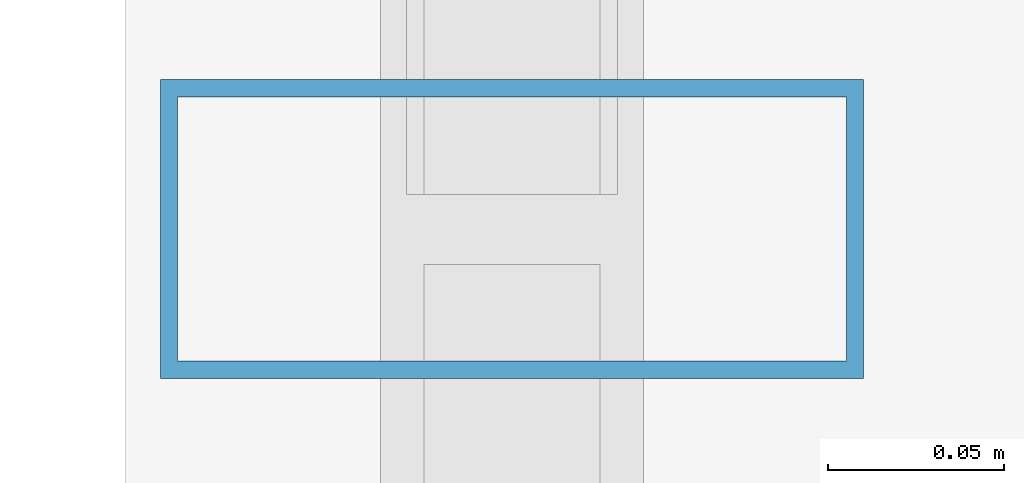
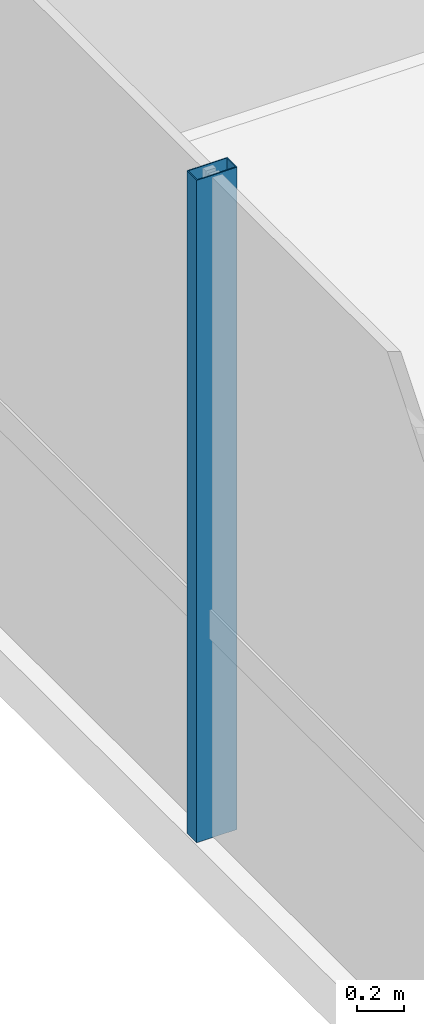
# One storey, part 8 of 41: 1 member, 1 element without a shape of its own.
"""IFC4 building model written with IfcOpenShell, lengths in metres."""

import ifcopenshell
import ifcopenshell.guid

model = None  # the IFC model being written
_history = None  # IfcOwnerHistory: only IFC2X3 demands one
_inside = {}  # id of a spatial element -> (the spatial element, [elements in it])
_under = {}  # id of a project, library or spatial element -> (it, [spatial elements below it])
_declared = {}  # id of a project -> (the project, [libraries it declares])
_typed = {}  # id of a type object -> (the type object, [elements of that type])
_made_of = {}  # id of a material, layer set ... -> (it, [elements and type objects made of it])


def new_model(schema):
    """Start an empty IFC model of exactly this schema.

    Asked for "IFC4X3", IfcOpenShell would pick the latest addendum, in which some entities
    have other attributes; the version numbers below select the first issue.
    IFC2X3 requires an IfcOwnerHistory on every rooted entity: one is made here for all.
    """
    global model, _history
    if schema == "IFC4X3":
        model = ifcopenshell.file(schema_version=(4, 3, 0, 0))
    else:
        model = ifcopenshell.file(schema=schema)
    _inside.clear()
    _under.clear()
    _declared.clear()
    _typed.clear()
    _made_of.clear()
    _history = None
    if model.schema == "IFC2X3":
        org = make("IfcOrganization", Name="unknown")
        user = make(
            "IfcPersonAndOrganization",
            ThePerson=make("IfcPerson", FamilyName="unknown"),
            TheOrganization=org,
        )
        app = make(
            "IfcApplication",
            ApplicationDeveloper=org,
            Version="unknown",
            ApplicationFullName="unknown",
            ApplicationIdentifier="unknown",
        )
        _history = make(
            "IfcOwnerHistory",
            OwningUser=user,
            OwningApplication=app,
            ChangeAction="ADDED",
            CreationDate=0,
        )
    return model


def make(cls, **values):
    """One entity of the class cls with the attributes given. An attribute that is None is left unset."""
    return model.create_entity(
        cls, **{name: value for name, value in values.items() if value is not None}
    )


def rooted(cls, **values):
    """An entity with a GlobalId (a new one), such as an element, a storey or a relation."""
    return make(cls, GlobalId=ifcopenshell.guid.new(), OwnerHistory=_history, **values)


def si_unit(unit_type, name, prefix=None):
    """IfcSIUnit, for example si_unit("LENGTHUNIT", "METRE", prefix="MILLI")."""
    return make("IfcSIUnit", UnitType=unit_type, Prefix=prefix, Name=name)


def assignment(units):
    """IfcUnitAssignment: the units of a project."""
    return None if units is None else make("IfcUnitAssignment", Units=units)


def point(xyz):
    """IfcCartesianPoint."""
    return None if xyz is None else make("IfcCartesianPoint", Coordinates=xyz)


def direction(xyz):
    """IfcDirection."""
    return None if xyz is None else make("IfcDirection", DirectionRatios=xyz)


def frame(location, z_axis=None, x_axis=None):
    """IfcAxis2Placement3D, a coordinate frame: its origin and axes. An axis left out is left unset."""
    return make(
        "IfcAxis2Placement3D",
        Location=point(location),
        Axis=direction(z_axis),
        RefDirection=direction(x_axis),
    )


def frame_2d(location, x_axis=None):
    """IfcAxis2Placement2D, a coordinate frame in the plane: its origin and x axis."""
    return make(
        "IfcAxis2Placement2D", Location=point(location), RefDirection=direction(x_axis)
    )


def origin():
    """The frame at (0, 0, 0) with its axes left unset."""
    return frame((0.0, 0.0, 0.0))


def origin_2d():
    """The frame at (0, 0) in the plane with its x axis left unset."""
    return frame_2d((0.0, 0.0))


def place(relative_to, where):
    """IfcLocalPlacement: puts the frame where relative to a parent placement (None: the world)."""
    return make(
        "IfcLocalPlacement", PlacementRelTo=relative_to, RelativePlacement=where
    )


def context(
    kind, dimensions, precision=None, world=None, true_north=None, identifier=None
):
    """IfcGeometricRepresentationContext, for example the 3D "Model" context."""
    return make(
        "IfcGeometricRepresentationContext",
        ContextIdentifier=identifier,
        ContextType=kind,
        CoordinateSpaceDimension=dimensions,
        Precision=precision,
        WorldCoordinateSystem=world,
        TrueNorth=true_north,
    )


def subcontext(parent, identifier, kind, view, scale=None):
    """IfcGeometricRepresentationSubContext, for example "Body" below "Model"."""
    return make(
        "IfcGeometricRepresentationSubContext",
        ContextIdentifier=identifier,
        ContextType=kind,
        ParentContext=parent,
        TargetScale=scale,
        TargetView=view,
    )


def project(units=None, contexts=None):
    """IfcProject with its units and contexts."""
    return rooted(
        "IfcProject",
        Name="project",
        RepresentationContexts=contexts,
        UnitsInContext=assignment(units),
    )


def spatial(cls, under=None, at=None, **own):
    """A site, building, storey or space (cls), placed at a placement, below another one or the project."""
    s = rooted(cls, ObjectPlacement=at, **own)
    if under is not None:
        _under.setdefault(under.id(), (under, []))[1].append(s)
    return s


def profile(cls, at=None, kind="AREA", **sizes):
    """A parametric profile (cls). Its sizes go by their IFC names, for example OverallWidth=200.0."""
    return make(cls, ProfileType=kind, Position=at, **sizes)


def hollow_rectangle(**sizes):
    """IfcRectangleHollowProfileDef."""
    return profile("IfcRectangleHollowProfileDef", **sizes)


def extrude(swept, where, along, depth):
    """IfcExtrudedAreaSolid: the profile swept, set in the frame where, extruded along a direction by depth."""
    return make(
        "IfcExtrudedAreaSolid",
        SweptArea=swept,
        Position=where,
        ExtrudedDirection=direction(along),
        Depth=depth,
    )


def shape(context_of_items, identifier, shape_type, items):
    """IfcShapeRepresentation: the items that make up one representation, for example the "Body"."""
    return make(
        "IfcShapeRepresentation",
        ContextOfItems=context_of_items,
        RepresentationIdentifier=identifier,
        RepresentationType=shape_type,
        Items=items,
    )


def source(mapping_origin, context_of_items, identifier, shape_type, items):
    """IfcRepresentationMap: a shape defined once, which mapped items show again and again."""
    return make(
        "IfcRepresentationMap",
        MappingOrigin=mapping_origin,
        MappedRepresentation=shape(context_of_items, identifier, shape_type, items),
    )


def transform(
    local_origin,
    x_axis=None,
    y_axis=None,
    z_axis=None,
    scale=None,
    scale2=None,
    scale3=None,
    uniform=True,
):
    """IfcCartesianTransformationOperator3D, or its non-uniform kind. x_axis, y_axis, z_axis: its Axis1, 2, 3."""
    if uniform:
        return make(
            "IfcCartesianTransformationOperator3D",
            Axis1=direction(x_axis),
            Axis2=direction(y_axis),
            LocalOrigin=point(local_origin),
            Scale=scale,
            Axis3=direction(z_axis),
        )
    return make(
        "IfcCartesianTransformationOperator3DnonUniform",
        Axis1=direction(x_axis),
        Axis2=direction(y_axis),
        LocalOrigin=point(local_origin),
        Scale=scale,
        Axis3=direction(z_axis),
        Scale2=scale2,
        Scale3=scale3,
    )


def mapped(mapping_source, mapping_target):
    """IfcMappedItem: shows the shape of a source again, moved by a transform."""
    return make(
        "IfcMappedItem", MappingSource=mapping_source, MappingTarget=mapping_target
    )


def material(Name=None, Category=None):
    """IfcMaterial."""
    return make("IfcMaterial", Name=Name, Category=Category)


def material_profile(
    of_material, cross_section, Name=None, Category=None, Priority=None
):
    """IfcMaterialProfile: a cross section and its material."""
    return make(
        "IfcMaterialProfile",
        Name=Name,
        Material=of_material,
        Profile=cross_section,
        Priority=Priority,
        Category=Category,
    )


def profile_set(profiles, Name=None, composite=None):
    """IfcMaterialProfileSet."""
    return make(
        "IfcMaterialProfileSet",
        Name=Name,
        MaterialProfiles=profiles,
        CompositeProfile=composite,
    )


def made_of(thing, what):
    """Note that an element or type object is made of a material, layer set ...; save() writes the relation."""
    if what is not None:
        _made_of.setdefault(what.id(), (what, []))[1].append(thing)
    return thing


def type_object(cls, material=None, **own):
    """A type object (cls), such as IfcWallType, which elements share."""
    return made_of(rooted(cls, **own), material)


def element(
    cls,
    number,
    at=None,
    inside=None,
    cuts=None,
    type_object=None,
    material=None,
    context=None,
    identifier="Body",
    shape_type=None,
    held_by="IfcProductDefinitionShape",
    body=None,
    shapes=None,
    **own,
):
    """One element of the class cls, such as IfcWall. Its Tag is "e" and its number.

    at: its placement. inside: the storey or other place that contains it. cuts: it is an
    opening in that element (IfcRelVoidsElement). A single representation is given by context,
    identifier, shape_type and body (its items); several are given by shapes. held_by: the class
    of the entity that holds the representations. save() writes the other relations.
    """
    e = rooted(cls, Tag="e%d" % number, ObjectPlacement=at, **own)
    if body is not None:
        shapes = [shape(context, identifier, shape_type, body)]
    if shapes is not None:
        e.Representation = make(held_by, Representations=shapes)
    if inside is not None:
        _inside.setdefault(inside.id(), (inside, []))[1].append(e)
    if cuts is not None:
        rooted(
            "IfcRelVoidsElement", RelatingBuildingElement=cuts, RelatedOpeningElement=e
        )
    if type_object is not None:
        _typed.setdefault(type_object.id(), (type_object, []))[1].append(e)
    return made_of(e, material)


def aggregate(whole, parts):
    """IfcRelAggregates: a whole, such as a stair, and the parts it consists of."""
    return rooted("IfcRelAggregates", RelatingObject=whole, RelatedObjects=parts)


def save(model, path):
    """Write the relations noted so far, then the file.

    IfcRelAggregates (storeys below a building ...), IfcRelContainedInSpatialStructure (elements
    in a storey), IfcRelDefinesByType, IfcRelAssociatesMaterial and IfcRelDeclares: one each for
    every whole, place, type object, material and project.
    """
    for whole, parts in _under.values():
        aggregate(whole, parts)
    for where, things in _inside.values():
        rooted(
            "IfcRelContainedInSpatialStructure",
            RelatedElements=things,
            RelatingStructure=where,
        )
    for kind, things in _typed.values():
        rooted("IfcRelDefinesByType", RelatedObjects=things, RelatingType=kind)
    for what, things in _made_of.values():
        rooted("IfcRelAssociatesMaterial", RelatedObjects=things, RelatingMaterial=what)
    for by, libraries in _declared.values():
        rooted("IfcRelDeclares", RelatingContext=by, RelatedDefinitions=libraries)
    model.write(path)


model = new_model("IFC4")

# Units and contexts
model_context = context("Model", 3, precision=1e-05, world=origin(), true_north=direction((0.0, 1.0)))
body_context = subcontext(model_context, "Body", "Model", "MODEL_VIEW")
ifc_project = project(units=[si_unit("LENGTHUNIT", "METRE"), si_unit("AREAUNIT", "SQUARE_METRE"), si_unit("VOLUMEUNIT", "CUBIC_METRE"), si_unit("PLANEANGLEUNIT", "RADIAN"), si_unit("MASSUNIT", "GRAM", prefix="KILO")], contexts=[model_context])

# Site, building, storey
site_placement = place(None, origin())
site = spatial("IfcSite", under=ifc_project, at=site_placement, CompositionType="ELEMENT")
building_placement = place(site_placement, origin())
building = spatial("IfcBuilding", under=site, at=building_placement, Name="Valdorenza Pilgrim Sanctuary Tower", CompositionType="ELEMENT")
storey_placement = place(building_placement, frame((0.0, 0.0, 85.199951171875)))
storey = spatial("IfcBuildingStorey", under=building, at=storey_placement, Name="L21", CompositionType="ELEMENT", Elevation=85.199951171875)

# Curtain wall, member
ifc_material_1 = material(Name="Curtain-wall IGU glazing", Category="glass")
curtain_wall_type = type_object("IfcCurtainWallType", Name="CW-SYS-02", PredefinedType="NOTDEFINED", material=ifc_material_1)
curtain_wall_placement = place(storey_placement, origin())
curtain_wall = element("IfcCurtainWall", 1, at=curtain_wall_placement, inside=storey, type_object=curtain_wall_type, Name="L21 Curtain Wall CW-L21-1-1S1", PredefinedType="NOTDEFINED")
ifc_material_2 = material(Name="Anodised aluminium AW-6060", Category="aluminium")
ifc_material_profile = material_profile(ifc_material_2, hollow_rectangle(XDim=0.0849609375, YDim=0.199951171875, WallThickness=0.0048828125, at=origin_2d()), Name="ALU-M 200x85x5")
ifc_profile_set = profile_set([ifc_material_profile], Name="Anodised aluminium AW-6060")
member_type = type_object("IfcMemberType", Name="CW-MUL-02", PredefinedType="MULLION", material=ifc_profile_set)
shared_shape = source(origin(), body_context, "Body", "SweptSolid", [
    extrude(hollow_rectangle(XDim=0.0849609375, YDim=0.199951171875, WallThickness=0.0048828125, at=origin_2d()), origin(), (0.0, 0.0, 1.0), 3.4599609375),
])
member_placement = place(storey_placement, frame((-31.889892578125, -2.594482421875, 0.0), z_axis=(0.0, 0.0, 1.0), x_axis=(0.0, 1.0, 0.0)))
member = element("IfcMember", 2, at=member_placement, type_object=member_type, Name="CW-L21-1-1S1 Mullion 3", PredefinedType="MULLION", context=body_context, shape_type="MappedRepresentation", body=[
    mapped(shared_shape, transform((0.0, 0.0, 0.0), x_axis=(1.0, 0.0, 0.0), y_axis=(0.0, 1.0, 0.0), z_axis=(0.0, 0.0, 1.0), scale=1.0)),
])
aggregate(curtain_wall, [member])

save(model, "model.ifc")
